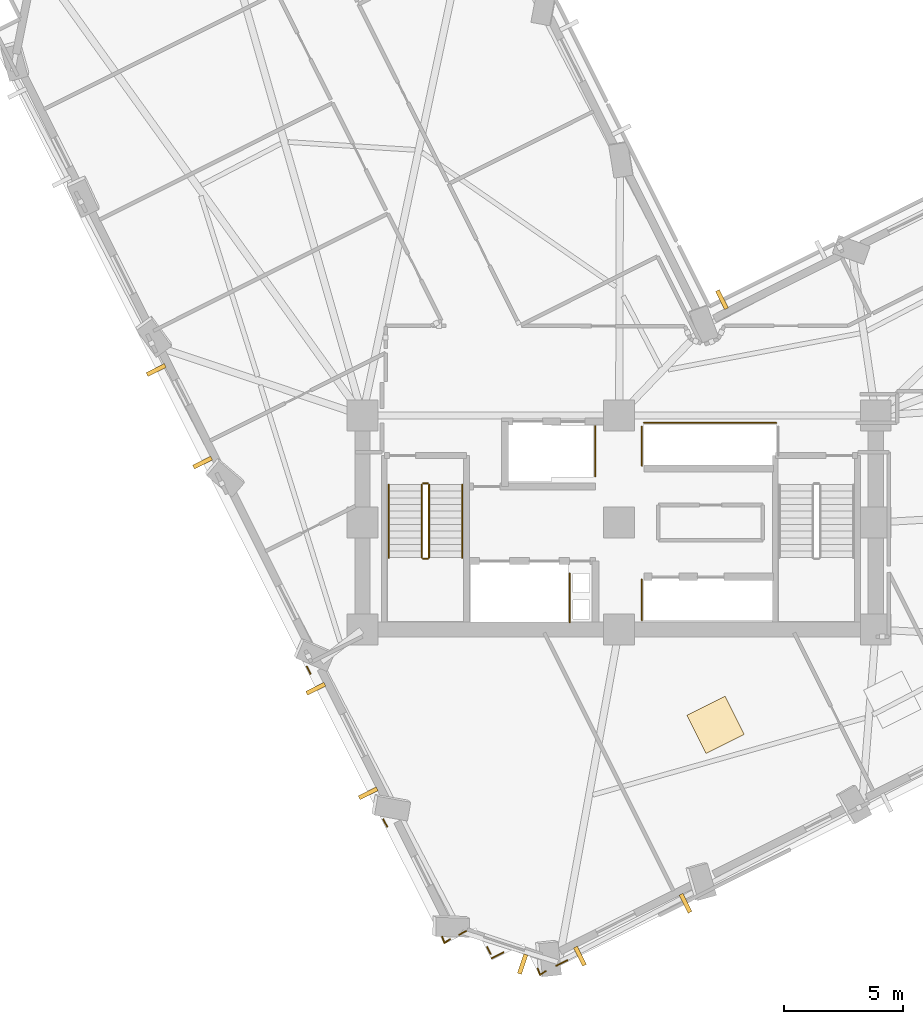
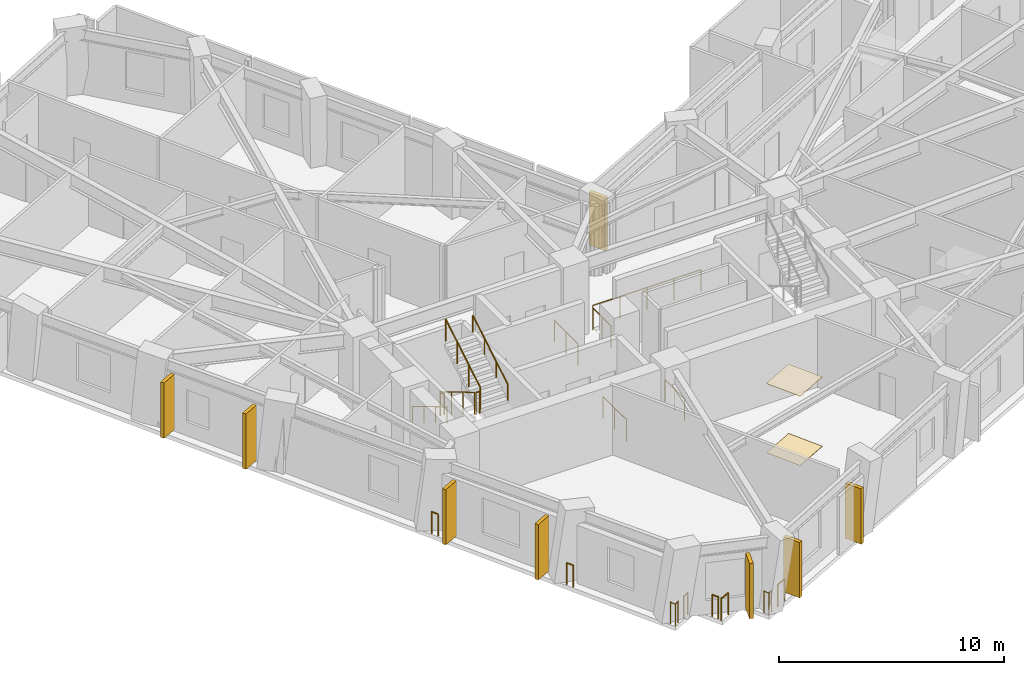
# One storey, part 13 of 16: 19 railings, 8 shading devices, 2 coverings.
"""IFC4 building model written with IfcOpenShell, lengths in metres."""

from ifc_helpers import new_model, si_unit, direction, frame, origin, origin_2d, place, context, subcontext, project, spatial, rectangle, circle, extrude, material, layer, layer_set, type_object, element, save


model = new_model("IFC4")

# Units and contexts
model_context = context("Model", 3, precision=1e-05, world=origin(), true_north=direction((0.0, 1.0)))
body_context = subcontext(model_context, "Body", "Model", "MODEL_VIEW")
ifc_project = project(units=[si_unit("LENGTHUNIT", "METRE"), si_unit("AREAUNIT", "SQUARE_METRE"), si_unit("VOLUMEUNIT", "CUBIC_METRE"), si_unit("PLANEANGLEUNIT", "RADIAN"), si_unit("MASSUNIT", "GRAM", prefix="KILO")], contexts=[model_context])

# Site, building, storey
site_placement = place(None, origin())
site = spatial("IfcSite", under=ifc_project, at=site_placement, CompositionType="ELEMENT")
building_placement = place(site_placement, origin())
building = spatial("IfcBuilding", under=site, at=building_placement, Name="Gaonmaruhae Medical Tower", CompositionType="ELEMENT")
storey_placement = place(building_placement, frame((0.0, 0.0, 136.39990234375)))
storey = spatial("IfcBuildingStorey", under=building, at=storey_placement, Name="L32", CompositionType="ELEMENT", Elevation=136.39990234375)

# Coverings
ifc_material_1 = material(Name="Acoustic mineral ceiling tile", Category="finish")
ifc_layer_1 = layer(ifc_material_1, 0.02490234375)
ifc_layer_set_1 = layer_set([ifc_layer_1], Name="Acoustic mineral ceiling tile")
covering_type_1 = type_object("IfcCoveringType", Name="CLG-01 Antimicrobial Acoustic Mineral Ceiling", PredefinedType="CEILING", material=ifc_layer_set_1)
covering_1_placement = place(storey_placement, frame((28.855712890625, 3.789306640625, 3.755126953125), z_axis=(0.0, 0.0, 1.0), x_axis=(0.894154236839, 0.447759087839, 0.0)))
element("IfcCovering", 1, at=covering_1_placement, inside=storey, type_object=covering_type_1, Name="L32 Clinical Room Acoustic Ceiling 2", PredefinedType="CEILING", context=body_context, shape_type="SweptSolid", body=[
    extrude(rectangle(XDim=1.800048828125, YDim=1.800048828125, at=origin_2d()), origin(), (0.0, 0.0, 1.0), 0.02490234375),
])
ifc_material_2 = material(Name="Seamless clinical vinyl flooring", Category="finish")
ifc_layer_2 = layer(ifc_material_2, 0.014892578125)
ifc_layer_set_2 = layer_set([ifc_layer_2], Name="Seamless clinical vinyl flooring")
covering_type_2 = type_object("IfcCoveringType", Name="FLR-01 Seamless Clinical Antistatic Vinyl Flooring", PredefinedType="FLOORING", material=ifc_layer_set_2)
covering_2_placement = place(storey_placement, frame((28.855712890625, 3.789306640625, 0.0), z_axis=(0.0, 0.0, 1.0), x_axis=(0.894154236839, 0.447759087839, 0.0)))
element("IfcCovering", 2, at=covering_2_placement, inside=storey, type_object=covering_type_2, Name="L32 Clinical Room Vinyl Flooring 2", PredefinedType="FLOORING", context=body_context, shape_type="SweptSolid", body=[
    extrude(rectangle(XDim=1.800048828125, YDim=1.800048828125, at=origin_2d()), origin(), (0.0, 0.0, 1.0), 0.014892578125),
])

# Railings
ifc_material_3 = material(Name="Stainless steel 316L and laminated safety glass", Category="steel")
ifc_layer_3 = layer(ifc_material_3, 0.080078125)
ifc_layer_set_3 = layer_set([ifc_layer_3], Name="Stainless steel 316L and laminated safety glass")
railing_type_1 = type_object("IfcRailingType", Name="GD-120 Outdoor Terrace Safety Glass & Steel Balustrade", PredefinedType="BALUSTRADE", material=ifc_layer_set_3)
railing_1_placement = place(storey_placement, frame((22.617919921875, -6.1201171875, 0.0)))
element("IfcRailing", 3, at=railing_1_placement, inside=storey, type_object=railing_type_1, Name="L32 Perimeter Slab Edge Safety Balustrade 03", PredefinedType="BALUSTRADE", context=body_context, shape_type="SweptSolid", body=[
    extrude(circle(Radius=0.02392578125, at=origin_2d()), frame((0.0, 0.0, 1.17578125), z_axis=(-0.894238850938, -0.447590077496, 0.0), x_axis=(0.447590077496, -0.894238850938, 0.0)), (0.0, 0.0, 1.0), 0.518798828125),
    extrude(circle(Radius=0.02099609375, at=origin_2d()), origin(), (0.0, 0.0, 1.0), 1.15185546875),
    extrude(circle(Radius=0.02099609375, at=origin_2d()), frame((-0.4638671875, -0.232177734375, 0.0)), (0.0, 0.0, 1.0), 1.15185546875),
])
railing_2_placement = place(storey_placement, frame((19.929443359375, -5.788818359375, 0.0)))
element("IfcRailing", 4, at=railing_2_placement, inside=storey, type_object=railing_type_1, Name="L32 Perimeter Slab Edge Safety Balustrade 04", PredefinedType="BALUSTRADE", context=body_context, shape_type="SweptSolid", body=[
    extrude(circle(Radius=0.02392578125, at=origin_2d()), frame((0.0, 0.0, 1.17578125), z_axis=(-0.894165458636, -0.447736677727, 0.0), x_axis=(0.447736677727, -0.894165458636, 0.0)), (0.0, 0.0, 1.0), 0.56005859375),
    extrude(circle(Radius=0.02099609375, at=origin_2d()), origin(), (0.0, 0.0, 1.0), 1.15185546875),
    extrude(circle(Radius=0.02099609375, at=origin_2d()), frame((-0.500732421875, -0.250732421875, 0.0)), (0.0, 0.0, 1.0), 1.15185546875),
])
railing_3_placement = place(storey_placement, frame((19.391357421875, -5.853271484375, 0.0)))
element("IfcRailing", 5, at=railing_3_placement, inside=storey, type_object=railing_type_1, Name="L32 Perimeter Slab Edge Safety Balustrade 05", PredefinedType="BALUSTRADE", context=body_context, shape_type="SweptSolid", body=[
    extrude(circle(Radius=0.02392578125, at=origin_2d()), frame((0.0, 0.0, 1.17578125), z_axis=(-0.447811574418, 0.894127951592, 0.0), x_axis=(-0.894127951592, -0.447811574418, 0.0)), (0.0, 0.0, 1.0), 0.32666015625),
    extrude(circle(Radius=0.02099609375, at=origin_2d()), origin(), (0.0, 0.0, 1.0), 1.15185546875),
    extrude(circle(Radius=0.02099609375, at=origin_2d()), frame((-0.146240234375, 0.2919921875, 0.0)), (0.0, 0.0, 1.0), 1.15185546875),
])
railing_4_placement = place(storey_placement, frame((18.363525390625, -4.8955078125, 0.0)))
element("IfcRailing", 6, at=railing_4_placement, inside=storey, type_object=railing_type_1, Name="L32 Perimeter Slab Edge Safety Balustrade 06", PredefinedType="BALUSTRADE", context=body_context, shape_type="SweptSolid", body=[
    extrude(circle(Radius=0.02392578125, at=origin_2d()), frame((0.0, 0.0, 1.17578125), z_axis=(-0.894427191, -0.4472135955, 0.0), x_axis=(0.4472135955, -0.894427191, 0.0)), (0.0, 0.0, 1.0), 0.326416015625),
    extrude(circle(Radius=0.02099609375, at=origin_2d()), origin(), (0.0, 0.0, 1.0), 1.15185546875),
    extrude(circle(Radius=0.02099609375, at=origin_2d()), frame((-0.2919921875, -0.14599609375, 0.0)), (0.0, 0.0, 1.0), 1.15185546875),
])
railing_5_placement = place(storey_placement, frame((15.031494140625, -0.4970703125, 0.0)))
element("IfcRailing", 7, at=railing_5_placement, inside=storey, type_object=railing_type_1, Name="L32 Perimeter Slab Edge Safety Balustrade 07", PredefinedType="BALUSTRADE", context=body_context, shape_type="SweptSolid", body=[
    extrude(circle(Radius=0.02392578125, at=origin_2d()), frame((0.0, 0.0, 1.17578125), z_axis=(-0.447500892421, 0.894283484854, 0.0), x_axis=(-0.894283484854, -0.447500892421, 0.0)), (0.0, 0.0, 1.0), 0.33984375),
    extrude(circle(Radius=0.02099609375, at=origin_2d()), origin(), (0.0, 0.0, 1.0), 1.15185546875),
    extrude(circle(Radius=0.02099609375, at=origin_2d()), frame((-0.152099609375, 0.303955078125, 0.0)), (0.0, 0.0, 1.0), 1.15185546875),
])
railing_6_placement = place(storey_placement, frame((11.810791015625, 5.934814453125, 0.0)))
element("IfcRailing", 8, at=railing_6_placement, inside=storey, type_object=railing_type_1, Name="L32 Perimeter Slab Edge Safety Balustrade 08", PredefinedType="BALUSTRADE", context=body_context, shape_type="SweptSolid", body=[
    extrude(circle(Radius=0.02392578125, at=origin_2d()), frame((0.0, 0.0, 1.17578125), z_axis=(-0.448075070794, 0.893995934517, 0.0), x_axis=(-0.893995934517, -0.448075070794, 0.0)), (0.0, 0.0, 1.0), 0.340087890625),
    extrude(circle(Radius=0.02099609375, at=origin_2d()), origin(), (0.0, 0.0, 1.0), 1.15185546875),
    extrude(circle(Radius=0.02099609375, at=origin_2d()), frame((-0.15234375, 0.303955078125, 0.0)), (0.0, 0.0, 1.0), 1.15185546875),
])
for number, where, name in (
    (9, (21.7099609375, -6.57470703125, 0.0), "L32 Perimeter Corner Safety Balustrade 09"),
    (10, (17.68408203125, -5.235595703125, 0.0), "L32 Perimeter Corner Safety Balustrade 10"),
):
    element("IfcRailing", number, at=place(storey_placement, frame(where)), inside=storey, type_object=railing_type_1, Name=name, PredefinedType="BALUSTRADE", context=body_context, shape_type="SweptSolid", body=[
        extrude(circle(Radius=0.02392578125, at=origin_2d()), frame((0.0, 0.0, 1.17578125), z_axis=(-0.832964507097, -0.553326422572, 0.0), x_axis=(0.553326422572, -0.832964507097, 0.0)), (0.0, 0.0, 1.0), 0.287353515625),
        extrude(circle(Radius=0.02392578125, at=origin_2d()), frame((-0.2392578125, -0.158935546875, 1.17578125), z_axis=(-0.335043219707, 0.942202759988, 0.0), x_axis=(-0.942202759988, -0.335043219707, 0.0)), (0.0, 0.0, 1.0), 0.287109375),
        extrude(circle(Radius=0.02099609375, at=origin_2d()), origin(), (0.0, 0.0, 1.0), 1.15185546875),
        extrude(circle(Radius=0.02099609375, at=origin_2d()), frame((-0.2392578125, -0.158935546875, 0.0)), (0.0, 0.0, 1.0), 1.15185546875),
        extrude(circle(Radius=0.02099609375, at=origin_2d()), frame((-0.33544921875, 0.111572265625, 0.0)), (0.0, 0.0, 1.0), 1.15185546875),
    ])
ifc_material_4 = material(Name="Stainless steel 304 handrail", Category="steel")
railing_type_2 = type_object("IfcRailingType", Name="HR-092 Continuous Stainless Steel Stair Handrail", PredefinedType="HANDRAIL", material=ifc_material_4)
railing_7_placement = place(storey_placement, frame((15.10009765625, 13.89990234375, 0.166748046875)))
element("IfcRailing", 11, at=railing_7_placement, inside=storey, type_object=railing_type_2, Name="L32 ST-01 stair handrail 1", PredefinedType="HANDRAIL", context=body_context, shape_type="SweptSolid", body=[
    extrude(circle(Radius=0.02392578125, at=origin_2d()), frame((0.0, 0.0, 0.8759765625), z_axis=(0.0, -0.859290745958, 0.51148745235), x_axis=(1.0, 0.0, 0.0)), (0.0, 0.0, 1.0), 3.584228515625),
    extrude(circle(Radius=0.02099609375, at=origin_2d()), origin(), (0.0, 0.0, 1.0), 0.851806640625),
    extrude(circle(Radius=0.02099609375, at=origin_2d()), frame((0.0, -1.026611328125, 0.611083984375)), (0.0, 0.0, 1.0), 0.851806640625),
    extrude(circle(Radius=0.02099609375, at=origin_2d()), frame((0.0, -2.05322265625, 1.22216796875)), (0.0, 0.0, 1.0), 0.851806640625),
    extrude(circle(Radius=0.02099609375, at=origin_2d()), frame((0.0, -3.079833984375, 1.833251953125)), (0.0, 0.0, 1.0), 0.851806640625),
])
railing_8_placement = place(storey_placement, frame((18.199951171875, 10.820068359375, 2.166748046875)))
element("IfcRailing", 12, at=railing_8_placement, inside=storey, type_object=railing_type_2, Name="L32 ST-01 stair handrail 2", PredefinedType="HANDRAIL", context=body_context, shape_type="SweptSolid", body=[
    extrude(circle(Radius=0.02392578125, at=origin_2d()), frame((0.0, 0.0, 0.8759765625), z_axis=(0.0, 0.859290745958, 0.51148745235), x_axis=(-1.0, 0.0, 0.0)), (0.0, 0.0, 1.0), 3.584228515625),
    extrude(circle(Radius=0.02099609375, at=origin_2d()), origin(), (0.0, 0.0, 1.0), 0.851806640625),
    extrude(circle(Radius=0.02099609375, at=origin_2d()), frame((0.0, 1.026611328125, 0.611083984375)), (0.0, 0.0, 1.0), 0.851806640625),
    extrude(circle(Radius=0.02099609375, at=origin_2d()), frame((0.0, 2.05322265625, 1.22216796875)), (0.0, 0.0, 1.0), 0.851806640625),
    extrude(circle(Radius=0.02099609375, at=origin_2d()), frame((0.0, 3.079833984375, 1.833251953125)), (0.0, 0.0, 1.0), 0.851806640625),
])

# Shading devices
ifc_material_5 = material(Name="Pigmented coral precast concrete C45/55", Category="concrete")
shading_device_type = type_object("IfcShadingDeviceType", Name="SD-FIN1 Tower Vertical Coral Precast Shading Fin", PredefinedType="USERDEFINED", material=ifc_material_5)
for number, where, z_axis, x_axis, name in (
    (13, (27.595703125, -3.722412109375, 0.08251953125), (0.0, 0.0, 1.0), (-0.894154236839, -0.447759087839, 0.0), "L32 Vertical Coral Precast Shading Fin S01"),
    (14, (23.151611328125, -5.947998046875, 0.08251953125), (0.0, 0.0, 1.0), (-0.894154236839, -0.447759087839, 0.0), "L32 Vertical Coral Precast Shading Fin S01B"),
):
    element("IfcShadingDevice", number, at=place(storey_placement, frame(where, z_axis=z_axis, x_axis=x_axis)), inside=storey, type_object=shading_device_type, Name=name, ObjectType="FIN", PredefinedType="USERDEFINED", context=body_context, shape_type="SweptSolid", body=[
        extrude(rectangle(XDim=0.179931640625, YDim=0.85009765625, at=origin_2d()), origin(), (0.0, 0.0, 1.0), 3.0),
    ])
shading_device_placement = place(storey_placement, frame((29.12744140625, 21.682373046875, 0.0400390625), z_axis=(0.0, 0.0, 1.0), x_axis=(0.894154236839, 0.447759087839, 0.0)))
element("IfcShadingDevice", 15, at=shading_device_placement, inside=storey, type_object=shading_device_type, Name="L32 Vertical Coral Precast Shading Fin EN03", ObjectType="FIN", PredefinedType="USERDEFINED", context=body_context, shape_type="SweptSolid", body=[
    extrude(rectangle(XDim=0.179931640625, YDim=0.85009765625, at=origin_2d()), origin(), (0.0, 0.0, 1.0), 2.885009765625),
])
for number, where, z_axis, x_axis, name in (
    (16, (7.26611328125, 14.82080078125, 0.08251953125), (0.0, 0.0, 1.0), (-0.447759087839, 0.894154236839, 0.0), "L32 Vertical Coral Precast Shading Fin W03"),
    (17, (5.312744140625, 18.72119140625, 0.08251953125), (0.0, 0.0, 1.0), (-0.447759087839, 0.894154236839, 0.0), "L32 Vertical Coral Precast Shading Fin W03B"),
    (18, (14.234130859375, 0.90576171875, 0.08251953125), (0.0, 0.0, 1.0), (-0.447759087839, 0.894154236839, 0.0), "L32 Vertical Coral Precast Shading Fin W05"),
    (19, (12.029541015625, 5.30810546875, 0.08251953125), (0.0, 0.0, 1.0), (-0.447759087839, 0.894154236839, 0.0), "L32 Vertical Coral Precast Shading Fin W05B"),
    (20, (20.739013671875, -6.281005859375, 0.08251953125), (0.0, 0.0, 1.0), (-0.948870502385, 0.31566559791, 0.0), "L32 Vertical Coral Precast Shading Fin W07"),
):
    element("IfcShadingDevice", number, at=place(storey_placement, frame(where, z_axis=z_axis, x_axis=x_axis)), inside=storey, type_object=shading_device_type, Name=name, ObjectType="FIN", PredefinedType="USERDEFINED", context=body_context, shape_type="SweptSolid", body=[
        extrude(rectangle(XDim=0.179931640625, YDim=0.85009765625, at=origin_2d()), origin(), (0.0, 0.0, 1.0), 3.0),
    ])

# Railings
ifc_material_6 = material(Name="Stainless steel 304 balustrade", Category="steel")
railing_type_3 = type_object("IfcRailingType", Name="SG-112 Stair Well & Ramp Void Safety Balustrade", PredefinedType="BALUSTRADE", material=ifc_material_6)
railing_9_placement = place(storey_placement, frame((16.5, 13.89990234375, 0.166748046875)))
element("IfcRailing", 21, at=railing_9_placement, inside=storey, type_object=railing_type_3, Name="L32 ST-01 stair guard 1", PredefinedType="BALUSTRADE", context=body_context, shape_type="SweptSolid", body=[
    extrude(circle(Radius=0.02392578125, at=origin_2d()), frame((0.0, 0.0, 1.17578125), z_axis=(0.0, -0.859290745958, 0.51148745235), x_axis=(1.0, 0.0, 0.0)), (0.0, 0.0, 1.0), 3.584228515625),
    extrude(circle(Radius=0.02099609375, at=origin_2d()), origin(), (0.0, 0.0, 1.0), 1.15185546875),
    extrude(circle(Radius=0.02099609375, at=origin_2d()), frame((0.0, -1.026611328125, 0.611083984375)), (0.0, 0.0, 1.0), 1.15185546875),
    extrude(circle(Radius=0.02099609375, at=origin_2d()), frame((0.0, -2.05322265625, 1.22216796875)), (0.0, 0.0, 1.0), 1.15185546875),
    extrude(circle(Radius=0.02099609375, at=origin_2d()), frame((0.0, -3.079833984375, 1.833251953125)), (0.0, 0.0, 1.0), 1.15185546875),
])
railing_10_placement = place(storey_placement, frame((16.550048828125, 10.77001953125, 2.0)))
element("IfcRailing", 22, at=railing_10_placement, inside=storey, type_object=railing_type_3, Name="L32 ST-01 stair guard 2", PredefinedType="BALUSTRADE", context=body_context, shape_type="SweptSolid", body=[
    extrude(circle(Radius=0.02392578125, at=origin_2d()), frame((0.0, 0.0, 1.17578125), z_axis=(1.0, 0.0, 0.0), x_axis=(0.0, 1.0, 0.0)), (0.0, 0.0, 1.0), 0.199951171875),
    extrude(circle(Radius=0.02099609375, at=origin_2d()), origin(), (0.0, 0.0, 1.0), 1.15185546875),
    extrude(circle(Radius=0.02099609375, at=origin_2d()), frame((0.199951171875, 0.0, 0.0)), (0.0, 0.0, 1.0), 1.15185546875),
])
railing_11_placement = place(storey_placement, frame((16.800048828125, 10.820068359375, 2.166748046875)))
element("IfcRailing", 23, at=railing_11_placement, inside=storey, type_object=railing_type_3, Name="L32 ST-01 stair guard 3", PredefinedType="BALUSTRADE", context=body_context, shape_type="SweptSolid", body=[
    extrude(circle(Radius=0.02392578125, at=origin_2d()), frame((0.0, 0.0, 1.17578125), z_axis=(0.0, 0.859290745958, 0.51148745235), x_axis=(-1.0, 0.0, 0.0)), (0.0, 0.0, 1.0), 3.584228515625),
    extrude(circle(Radius=0.02099609375, at=origin_2d()), origin(), (0.0, 0.0, 1.0), 1.15185546875),
    extrude(circle(Radius=0.02099609375, at=origin_2d()), frame((0.0, 1.026611328125, 0.611083984375)), (0.0, 0.0, 1.0), 1.15185546875),
    extrude(circle(Radius=0.02099609375, at=origin_2d()), frame((0.0, 2.05322265625, 1.22216796875)), (0.0, 0.0, 1.0), 1.15185546875),
    extrude(circle(Radius=0.02099609375, at=origin_2d()), frame((0.0, 3.079833984375, 1.833251953125)), (0.0, 0.0, 1.0), 1.15185546875),
])
railing_12_placement = place(storey_placement, frame((16.550048828125, 13.949951171875, 0.0)))
element("IfcRailing", 24, at=railing_12_placement, inside=storey, type_object=railing_type_3, Name="L32 ST-01 stair guard 4", PredefinedType="BALUSTRADE", context=body_context, shape_type="SweptSolid", body=[
    extrude(circle(Radius=0.02392578125, at=origin_2d()), frame((0.0, 0.0, 1.17578125), z_axis=(1.0, 0.0, 0.0), x_axis=(0.0, 1.0, 0.0)), (0.0, 0.0, 1.0), 0.199951171875),
    extrude(circle(Radius=0.02099609375, at=origin_2d()), origin(), (0.0, 0.0, 1.0), 1.15185546875),
    extrude(circle(Radius=0.02099609375, at=origin_2d()), frame((0.199951171875, 0.0, 0.0)), (0.0, 0.0, 1.0), 1.15185546875),
])
railing_13_placement = place(storey_placement, frame((25.7548828125, 8.195068359375, 0.0)))
element("IfcRailing", 25, at=railing_13_placement, inside=storey, type_object=railing_type_3, Name="L32 Shaft Edge Safety Guard 12", PredefinedType="BALUSTRADE", context=body_context, shape_type="SweptSolid", body=[
    extrude(circle(Radius=0.02392578125, at=origin_2d()), frame((0.0, 0.0, 1.17578125), z_axis=(0.0, 1.0, 0.0), x_axis=(-1.0, 0.0, 0.0)), (0.0, 0.0, 1.0), 1.7099609375),
    extrude(circle(Radius=0.02099609375, at=origin_2d()), origin(), (0.0, 0.0, 1.0), 1.15185546875),
    extrude(circle(Radius=0.02099609375, at=origin_2d()), frame((0.0, 0.85498046875, 0.0)), (0.0, 0.0, 1.0), 1.15185546875),
    extrude(circle(Radius=0.02099609375, at=origin_2d()), frame((0.0, 1.7099609375, 0.0)), (0.0, 0.0, 1.0), 1.15185546875),
])
railing_14_placement = place(storey_placement, frame((22.719970703125, 10.159912109375, 0.0)))
element("IfcRailing", 26, at=railing_14_placement, inside=storey, type_object=railing_type_3, Name="L32 Shaft Edge Safety Guard 13", PredefinedType="BALUSTRADE", context=body_context, shape_type="SweptSolid", body=[
    extrude(circle(Radius=0.02392578125, at=origin_2d()), frame((0.0, 0.0, 1.17578125), z_axis=(0.0, -1.0, 0.0), x_axis=(1.0, 0.0, 0.0)), (0.0, 0.0, 1.0), 2.06494140625),
    extrude(circle(Radius=0.02099609375, at=origin_2d()), origin(), (0.0, 0.0, 1.0), 1.15185546875),
    extrude(circle(Radius=0.02099609375, at=origin_2d()), frame((0.0, -1.032470703125, 0.0)), (0.0, 0.0, 1.0), 1.15185546875),
    extrude(circle(Radius=0.02099609375, at=origin_2d()), frame((0.0, -2.06494140625, 0.0)), (0.0, 0.0, 1.0), 1.15185546875),
])
railing_15_placement = place(storey_placement, frame((23.794921875, 16.35498046875, 0.0)))
element("IfcRailing", 27, at=railing_15_placement, inside=storey, type_object=railing_type_3, Name="L32 Shaft Edge Safety Guard 14", PredefinedType="BALUSTRADE", context=body_context, shape_type="SweptSolid", body=[
    extrude(circle(Radius=0.02392578125, at=origin_2d()), frame((0.0, 0.0, 1.17578125), z_axis=(0.0, -1.0, 0.0), x_axis=(1.0, 0.0, 0.0)), (0.0, 0.0, 1.0), 2.10986328125),
    extrude(circle(Radius=0.02099609375, at=origin_2d()), origin(), (0.0, 0.0, 1.0), 1.15185546875),
    extrude(circle(Radius=0.02099609375, at=origin_2d()), frame((0.0, -1.054931640625, 0.0)), (0.0, 0.0, 1.0), 1.15185546875),
    extrude(circle(Radius=0.02099609375, at=origin_2d()), frame((0.0, -2.10986328125, 0.0)), (0.0, 0.0, 1.0), 1.15185546875),
])
railing_16_placement = place(storey_placement, frame((25.844970703125, 16.4951171875, 0.0)))
element("IfcRailing", 28, at=railing_16_placement, inside=storey, type_object=railing_type_3, Name="L32 Shaft Edge Safety Guard 15", PredefinedType="BALUSTRADE", context=body_context, shape_type="SweptSolid", body=[
    extrude(circle(Radius=0.02392578125, at=origin_2d()), frame((0.0, 0.0, 1.17578125), z_axis=(1.0, 0.0, 0.0), x_axis=(0.0, 1.0, 0.0)), (0.0, 0.0, 1.0), 5.56005859375),
    extrude(circle(Radius=0.02099609375, at=origin_2d()), origin(), (0.0, 0.0, 1.0), 1.15185546875),
    extrude(circle(Radius=0.02099609375, at=origin_2d()), frame((1.39013671875, 0.0, 0.0)), (0.0, 0.0, 1.0), 1.15185546875),
    extrude(circle(Radius=0.02099609375, at=origin_2d()), frame((2.780029296875, 0.0, 0.0)), (0.0, 0.0, 1.0), 1.15185546875),
    extrude(circle(Radius=0.02099609375, at=origin_2d()), frame((4.169921875, 0.0, 0.0)), (0.0, 0.0, 1.0), 1.15185546875),
    extrude(circle(Radius=0.02099609375, at=origin_2d()), frame((5.56005859375, 0.0, 0.0)), (0.0, 0.0, 1.0), 1.15185546875),
])
railing_17_placement = place(storey_placement, frame((25.7548828125, 14.695068359375, 0.0)))
element("IfcRailing", 29, at=railing_17_placement, inside=storey, type_object=railing_type_3, Name="L32 Shaft Edge Safety Guard 17", PredefinedType="BALUSTRADE", context=body_context, shape_type="SweptSolid", body=[
    extrude(circle(Radius=0.02392578125, at=origin_2d()), frame((0.0, 0.0, 1.17578125), z_axis=(0.0, 1.0, 0.0), x_axis=(-1.0, 0.0, 0.0)), (0.0, 0.0, 1.0), 1.635009765625),
    extrude(circle(Radius=0.02099609375, at=origin_2d()), origin(), (0.0, 0.0, 1.0), 1.15185546875),
    extrude(circle(Radius=0.02099609375, at=origin_2d()), frame((0.0, 0.8173828125, 0.0)), (0.0, 0.0, 1.0), 1.15185546875),
    extrude(circle(Radius=0.02099609375, at=origin_2d()), frame((0.0, 1.635009765625, 0.0)), (0.0, 0.0, 1.0), 1.15185546875),
])

save(model, "model.ifc")
